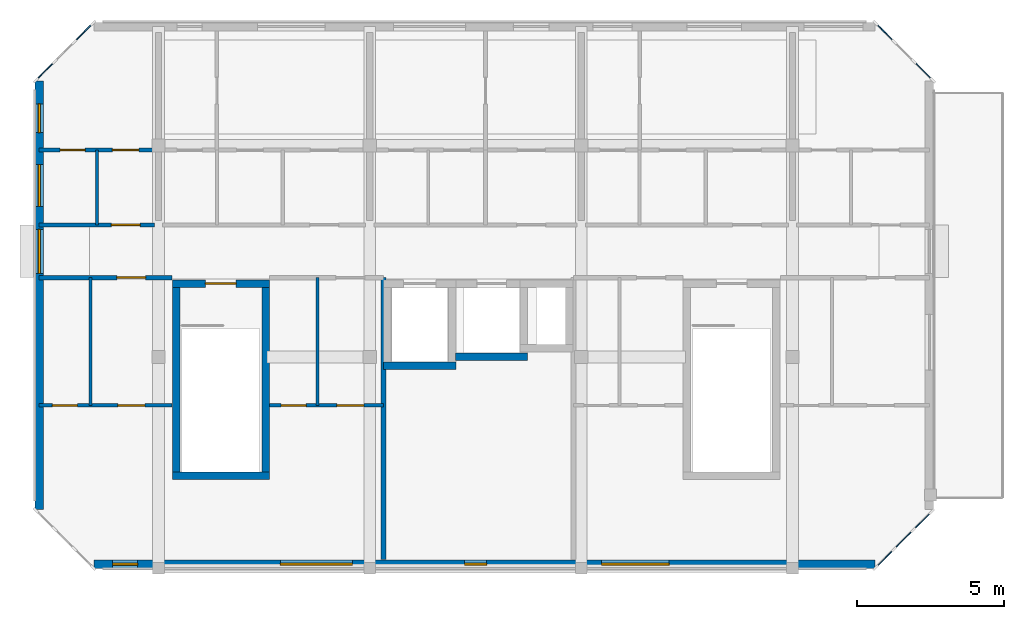
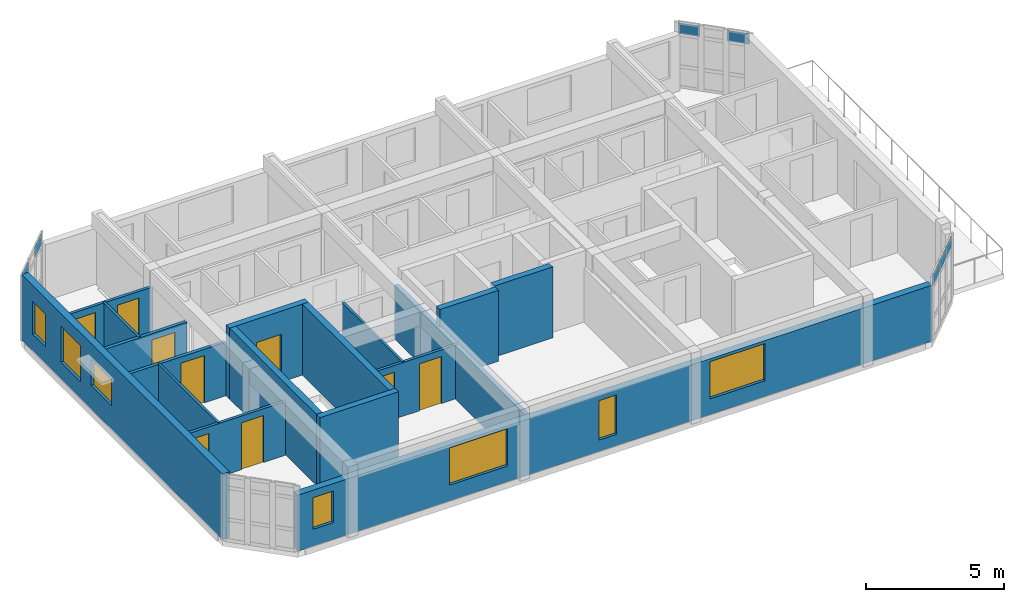
# One storey, part 3 of 6: 17 walls, 9 doors, 7 plates, 7 windows, 16 openings, 3 elements without a shape of their own.
"""IFC4 building model written with IfcOpenShell, lengths in metres."""

from ifc_helpers import new_model, si_unit, direction, frame, frame_2d, origin, origin_2d, place, context, subcontext, project, spatial, rectangle, extrude, material, layer, layer_set, type_object, element, fill, aggregate, save


model = new_model("IFC4")

# Units and contexts
model_context = context("Model", 3, precision=1e-05, world=origin(), true_north=direction((0.0, 1.0)))
body_context = subcontext(model_context, "Body", "Model", "MODEL_VIEW")
ifc_project = project(units=[si_unit("LENGTHUNIT", "METRE"), si_unit("AREAUNIT", "SQUARE_METRE"), si_unit("VOLUMEUNIT", "CUBIC_METRE"), si_unit("PLANEANGLEUNIT", "RADIAN"), si_unit("MASSUNIT", "GRAM", prefix="KILO")], contexts=[model_context])

# Site, building, storey
site_placement = place(None, origin())
site = spatial("IfcSite", under=ifc_project, at=site_placement, CompositionType="ELEMENT")
building_placement = place(site_placement, origin())
building = spatial("IfcBuilding", under=site, at=building_placement, Name="Ochrevale Crest", CompositionType="ELEMENT")
storey_placement = place(building_placement, frame((0.0, 0.0, 49.64990234375)))
storey = spatial("IfcBuildingStorey", under=building, at=storey_placement, Name="L15", CompositionType="ELEMENT", Elevation=49.64990234375)

# Curtain wall, plates
ifc_material_1 = material(Name="Anodised aluminium 6063-T5", Category="aluminium")
ifc_layer_1 = layer(ifc_material_1, 0.14990234375)
ifc_layer_set_1 = layer_set([ifc_layer_1], Name="Anodised aluminium 6063-T5")
curtain_wall_type_1 = type_object("IfcCurtainWallType", Name="CW-WG-320x285", PredefinedType="NOTDEFINED", material=ifc_layer_set_1)
curtain_wall_1_placement = place(storey_placement, origin())
curtain_wall_1 = element("IfcCurtainWall", 1, at=curtain_wall_1_placement, inside=storey, type_object=curtain_wall_type_1, Name="Block D L15 chamfered corner wintergarden curtain wall 2", PredefinedType="NOTDEFINED")
ifc_material_2 = material(Name="Double-glazed low-E insulated glass unit", Category="glass")
ifc_layer_2 = layer(ifc_material_2, 0.028076171875)
ifc_layer_set_2 = layer_set([ifc_layer_2], Name="Double-glazed low-E insulated glass unit")
plate_type_1 = type_object("IfcPlateType", Name="CW-PNL-IGU28", PredefinedType="CURTAIN_PANEL", material=ifc_layer_set_2)
plate_1_placement = place(storey_placement, frame((161.5400390625, 72.33984375, 2.39013671875), z_axis=(0.0, 0.0, 1.0), x_axis=(0.707106781187, 0.707106781187, 0.0)))
plate_1 = element("IfcPlate", 2, at=plate_1_placement, type_object=plate_type_1, Name="CW17 panel 1.3", PredefinedType="CURTAIN_PANEL", context=body_context, shape_type="SweptSolid", body=[
    extrude(rectangle(XDim=0.8115234375, YDim=0.028076171875, at=origin_2d()), origin(), (0.0, 0.0, 1.0), 0.4599609375),
])
plate_2_placement = place(storey_placement, frame((162.179931640625, 72.97998046875, 2.39013671875), z_axis=(0.0, 0.0, 1.0), x_axis=(0.707106781187, 0.707106781187, 0.0)))
plate_2 = element("IfcPlate", 3, at=plate_2_placement, type_object=plate_type_1, Name="CW17 panel 2.3", PredefinedType="CURTAIN_PANEL", context=body_context, shape_type="SweptSolid", body=[
    extrude(rectangle(XDim=0.848876953125, YDim=0.028076171875, at=origin_2d()), origin(), (0.0, 0.0, 1.0), 0.4599609375),
])
plate_3_placement = place(storey_placement, frame((162.820068359375, 73.6201171875, 2.39013671875), z_axis=(0.0, 0.0, 1.0), x_axis=(0.707106781187, 0.707106781187, 0.0)))
plate_3 = element("IfcPlate", 4, at=plate_3_placement, type_object=plate_type_1, Name="CW17 panel 3.3", PredefinedType="CURTAIN_PANEL", context=body_context, shape_type="SweptSolid", body=[
    extrude(rectangle(XDim=0.8115234375, YDim=0.028076171875, at=origin_2d()), origin(), (0.0, 0.0, 1.0), 0.4599609375),
])
aggregate(curtain_wall_1, [plate_1, plate_2, plate_3])

ifc_layer_3 = layer(ifc_material_1, 0.14990234375)
ifc_layer_set_3 = layer_set([ifc_layer_3], Name="Anodised aluminium 6063-T5")
curtain_wall_type_2 = type_object("IfcCurtainWallType", Name="CW-WG-420x285", PredefinedType="NOTDEFINED", material=ifc_layer_set_3)
curtain_wall_2_placement = place(storey_placement, origin())
curtain_wall_2 = element("IfcCurtainWall", 5, at=curtain_wall_2_placement, inside=storey, type_object=curtain_wall_type_2, Name="Block D L15 chamfered corner wintergarden curtain wall 4", PredefinedType="NOTDEFINED")
plate_4_placement = place(storey_placement, frame((162.853515625, 88.946533203125, 2.39013671875), z_axis=(0.0, 0.0, 1.0), x_axis=(-0.707106781187, 0.707106781187, 0.0)))
plate_4 = element("IfcPlate", 6, at=plate_4_placement, type_object=plate_type_1, Name="CW22 panel 1.3", PredefinedType="CURTAIN_PANEL", context=body_context, shape_type="SweptSolid", body=[
    extrude(rectangle(XDim=0.830322265625, YDim=0.028076171875, at=origin_2d()), origin(), (0.0, 0.0, 1.0), 0.4599609375),
])
plate_5_placement = place(storey_placement, frame((161.546630859375, 90.25341796875, 2.39013671875), z_axis=(0.0, 0.0, 1.0), x_axis=(-0.707106781187, 0.707106781187, 0.0)))
plate_5 = element("IfcPlate", 7, at=plate_5_placement, type_object=plate_type_1, Name="CW22 panel 3.3", PredefinedType="CURTAIN_PANEL", context=body_context, shape_type="SweptSolid", body=[
    extrude(rectangle(XDim=0.830322265625, YDim=0.028076171875, at=origin_2d()), origin(), (0.0, 0.0, 1.0), 0.4599609375),
])
aggregate(curtain_wall_2, [plate_4, plate_5])

ifc_layer_4 = layer(ifc_material_1, 0.14990234375)
ifc_layer_set_4 = layer_set([ifc_layer_4], Name="Anodised aluminium 6063-T5")
curtain_wall_type_3 = type_object("IfcCurtainWallType", Name="CW-WG-280x285", PredefinedType="NOTDEFINED", material=ifc_layer_set_4)
curtain_wall_3_placement = place(storey_placement, origin())
curtain_wall_3 = element("IfcCurtainWall", 8, at=curtain_wall_3_placement, inside=storey, type_object=curtain_wall_type_3, Name="Block D L15 chamfered corner wintergarden curtain wall 6", PredefinedType="NOTDEFINED")
ifc_material_3 = material(Name="Acoustic laminated low-E insulated glass unit", Category="glass")
ifc_layer_5 = layer(ifc_material_3, 0.0380859375)
ifc_layer_set_5 = layer_set([ifc_layer_5], Name="Acoustic laminated low-E insulated glass unit")
plate_type_2 = type_object("IfcPlateType", Name="CW-PNL-IGU38", PredefinedType="CURTAIN_PANEL", material=ifc_layer_set_5)
plate_6_placement = place(storey_placement, frame((134.25341796875, 90.25341796875, 2.39013671875), z_axis=(0.0, 0.0, 1.0), x_axis=(-0.707106781187, -0.707106781187, 0.0)))
plate_6 = element("IfcPlate", 9, at=plate_6_placement, type_object=plate_type_2, Name="CW16 panel 1.3", PredefinedType="CURTAIN_PANEL", context=body_context, shape_type="SweptSolid", body=[
    extrude(rectangle(XDim=0.830322265625, YDim=0.0380859375, at=origin_2d()), origin(), (0.0, 0.0, 1.0), 0.4599609375),
])
plate_7_placement = place(storey_placement, frame((132.946533203125, 88.946533203125, 2.39013671875), z_axis=(0.0, 0.0, 1.0), x_axis=(-0.707106781187, -0.707106781187, 0.0)))
plate_7 = element("IfcPlate", 10, at=plate_7_placement, type_object=plate_type_2, Name="CW16 panel 3.3", PredefinedType="CURTAIN_PANEL", context=body_context, shape_type="SweptSolid", body=[
    extrude(rectangle(XDim=0.830322265625, YDim=0.0380859375, at=origin_2d()), origin(), (0.0, 0.0, 1.0), 0.4599609375),
])
aggregate(curtain_wall_3, [plate_6, plate_7])

# Wall, opening, door
ifc_material_4 = material(Name="Gypsum plasterboard", Category="gypsum")
ifc_layer_6 = layer(ifc_material_4, 0.139892578125)
ifc_layer_set_6 = layer_set([ifc_layer_6], Name="Gypsum plasterboard")
wall_type_1 = type_object("IfcWallType", Name="WL-COR-140", PredefinedType="PARTITIONING", material=ifc_layer_set_6)
wall_1_placement = place(storey_placement, frame((132.739990234375, 83.699951171875, 0.0), z_axis=(0.0, 0.0, 1.0), x_axis=(1.0, 0.0, 0.0)))
wall_1 = element("IfcWall", 11, at=wall_1_placement, inside=storey, type_object=wall_type_1, Name="Apartment D-L15-U1 corridor wall", PredefinedType="PARTITIONING", context=body_context, shape_type="SweptSolid", body=[
    extrude(rectangle(XDim=3.919921875, YDim=0.139892578125, at=frame_2d((1.9599609375, 0.0))), origin(), (0.0, 0.0, 1.0), 2.380126953125),
])
opening_1_placement = place(wall_1_placement, frame((2.455322265625, 0.0, 0.0)))
opening_1 = element("IfcOpeningElement", 12, at=opening_1_placement, cuts=wall_1, Name="Opening FD01", PredefinedType="OPENING", context=body_context, shape_type="SweptSolid", body=[
    extrude(rectangle(XDim=0.97998046875, YDim=2.10009765625, at=frame_2d((0.489990234375, 1.050048828125))), frame((0.0, 0.080078125, 0.0), z_axis=(0.0, -1.0, 0.0), x_axis=(1.0, 0.0, 0.0)), (0.0, 0.0, 1.0), 0.159912109375),
])
ifc_material_5 = material(Name="Solid-core FSC hardwood", Category="wood")
door_type_1 = type_object("IfcDoorType", Name="DR-APT-950", OperationType="NOTDEFINED", PredefinedType="DOOR", material=ifc_material_5)
door_1_placement = place(opening_1_placement, origin())
door_1 = element("IfcDoor", 13, at=door_1_placement, inside=storey, type_object=door_type_1, Name="Apartment D-L15-U1 entrance door", OperationType="SINGLE_SWING_LEFT", OverallHeight=2.10009765625, OverallWidth=0.97998046875, PredefinedType="DOOR", context=body_context, shape_type="SweptSolid", body=[
    extrude(rectangle(XDim=0.97998046875, YDim=2.10009765625, at=frame_2d((0.489990234375, 1.050048828125))), frame((0.0, 0.02490234375, 0.0), z_axis=(0.0, -1.0, 0.0), x_axis=(1.0, 0.0, 0.0)), (0.0, 0.0, 1.0), 0.050048828125),
])
fill(opening_1, door_1)

wall_2_placement = place(storey_placement, frame((132.739990234375, 81.89990234375, 0.0), z_axis=(0.0, 0.0, 1.0), x_axis=(1.0, 0.0, 0.0)))
wall_2 = element("IfcWall", 14, at=wall_2_placement, inside=storey, type_object=wall_type_1, Name="Suite D-L15-CW corridor wall", PredefinedType="PARTITIONING", context=body_context, shape_type="SweptSolid", body=[
    extrude(rectangle(XDim=4.52001953125, YDim=0.139892578125, at=frame_2d((2.260009765625, 0.0))), origin(), (0.0, 0.0, 1.0), 2.380126953125),
])
opening_2_placement = place(wall_2_placement, frame((3.625, 0.0, 0.0), z_axis=(0.0, 0.0, 1.0), x_axis=(-1.0, 0.0, 0.0)))
opening_2 = element("IfcOpeningElement", 15, at=opening_2_placement, cuts=wall_2, Name="Opening FD01", PredefinedType="OPENING", context=body_context, shape_type="SweptSolid", body=[
    extrude(rectangle(XDim=0.97998046875, YDim=2.10009765625, at=frame_2d((0.489990234375, 1.050048828125))), frame((0.0, 0.080078125, 0.0), z_axis=(0.0, -1.0, 0.0), x_axis=(1.0, 0.0, 0.0)), (0.0, 0.0, 1.0), 0.159912109375),
])
door_2_placement = place(opening_2_placement, origin())
door_2 = element("IfcDoor", 16, at=door_2_placement, inside=storey, type_object=door_type_1, Name="Suite D-L15-CW entrance door", OperationType="SINGLE_SWING_RIGHT", OverallHeight=2.10009765625, OverallWidth=0.97998046875, PredefinedType="DOOR", context=body_context, shape_type="SweptSolid", body=[
    extrude(rectangle(XDim=0.97998046875, YDim=2.10009765625, at=frame_2d((0.489990234375, 1.050048828125))), frame((0.0, 0.02490234375, 0.0), z_axis=(0.0, -1.0, 0.0), x_axis=(1.0, 0.0, 0.0)), (0.0, 0.0, 1.0), 0.050048828125),
])
fill(opening_2, door_2)

# Wall
ifc_material_6 = material(Name="Precast concrete C50/60", Category="concrete")
ifc_layer_7 = layer(ifc_material_6, 0.2548828125)
ifc_layer_set_7 = layer_set([ifc_layer_7], Name="Precast concrete C50/60")
wall_type_2 = type_object("IfcWallType", Name="WL-CORE-255", PredefinedType="SHEAR", material=ifc_layer_set_7)
wall_3_placement = place(storey_placement, frame((137.2724609375, 75.14990234375, 0.0), z_axis=(0.0, 0.0, 1.0), x_axis=(1.0, 0.0, 0.0)))
element("IfcWall", 17, at=wall_3_placement, inside=storey, type_object=wall_type_2, Name="Block D L15 Stair 1 precast core shear wall S", PredefinedType="SHEAR", context=body_context, shape_type="SweptSolid", body=[
    extrude(rectangle(XDim=3.304931640625, YDim=0.2548828125, at=frame_2d((1.65234375, 0.0))), origin(), (0.0, 0.0, 1.0), 3.150146484375),
])

# Wall, opening, door
wall_4_placement = place(storey_placement, frame((137.2724609375, 81.699951171875, 0.0), z_axis=(0.0, 0.0, 1.0), x_axis=(1.0, 0.0, 0.0)))
wall_4 = element("IfcWall", 18, at=wall_4_placement, inside=storey, type_object=wall_type_2, Name="Block D L15 Stair 1 precast core shear wall N", PredefinedType="SHEAR", context=body_context, shape_type="SweptSolid", body=[
    extrude(rectangle(XDim=3.304931640625, YDim=0.2548828125, at=frame_2d((1.65234375, 0.0))), origin(), (0.0, 0.0, 1.0), 3.150146484375),
])
opening_3_placement = place(wall_4_placement, frame((2.177490234375, 0.0, 0.0), z_axis=(0.0, 0.0, 1.0), x_axis=(-1.0, 0.0, 0.0)))
opening_3 = element("IfcOpeningElement", 19, at=opening_3_placement, cuts=wall_4, Name="Opening FD03", PredefinedType="OPENING", context=body_context, shape_type="SweptSolid", body=[
    extrude(rectangle(XDim=1.050048828125, YDim=2.1201171875, at=frame_2d((0.52490234375, 1.06005859375))), frame((0.0, 0.137451171875, 0.0), z_axis=(0.0, -1.0, 0.0), x_axis=(1.0, 0.0, 0.0)), (0.0, 0.0, 1.0), 0.27490234375),
])
door_type_2 = type_object("IfcDoorType", Name="DR-ST-1050", OperationType="NOTDEFINED", PredefinedType="DOOR", material=ifc_material_5)
door_3_placement = place(opening_3_placement, origin())
door_3 = element("IfcDoor", 20, at=door_3_placement, inside=storey, type_object=door_type_2, Name="Block D L15 fire stair 1 door", OperationType="SINGLE_SWING_RIGHT", OverallHeight=2.1201171875, OverallWidth=1.050048828125, PredefinedType="DOOR", context=body_context, shape_type="SweptSolid", body=[
    extrude(rectangle(XDim=1.050048828125, YDim=2.1201171875, at=frame_2d((0.52490234375, 1.06005859375))), frame((0.0, 0.02490234375, 0.0), z_axis=(0.0, -1.0, 0.0), x_axis=(1.0, 0.0, 0.0)), (0.0, 0.0, 1.0), 0.050048828125),
])
fill(opening_3, door_3)

# Walls
for number, where, z_axis, x_axis, name in (
    (21, (137.39990234375, 75.277587890625, 0.0), (0.0, 0.0, 1.0), (0.0, 1.0, 0.0), "Block D L15 Stair 1 precast core shear wall W"),
    (22, (140.449951171875, 75.277587890625, 0.0), (0.0, 0.0, 1.0), (0.0, 1.0, 0.0), "Block D L15 Stair 1 precast core shear wall E"),
):
    element("IfcWall", number, at=place(storey_placement, frame(where, z_axis=z_axis, x_axis=x_axis)), inside=storey, type_object=wall_type_2, Name=name, PredefinedType="SHEAR", context=body_context, shape_type="SweptSolid", body=[
        extrude(rectangle(XDim=6.294921875, YDim=0.2548828125, at=frame_2d((3.1474609375, 0.0))), origin(), (0.0, 0.0, 1.0), 3.150146484375),
    ])
wall_5_placement = place(storey_placement, frame((144.472412109375, 78.89990234375, 0.0), z_axis=(0.0, 0.0, 1.0), x_axis=(1.0, 0.0, 0.0)))
element("IfcWall", 23, at=wall_5_placement, inside=storey, type_object=wall_type_2, Name="Block D L15 Lift 1 precast shaft shear wall S", PredefinedType="SHEAR", context=body_context, shape_type="SweptSolid", body=[
    extrude(rectangle(XDim=2.455078125, YDim=0.2548828125, at=frame_2d((1.2275390625, 0.0))), origin(), (0.0, 0.0, 1.0), 3.150146484375),
])
wall_6_placement = place(storey_placement, frame((146.922607421875, 79.199951171875, 0.0), z_axis=(0.0, 0.0, 1.0), x_axis=(1.0, 0.0, 0.0)))
element("IfcWall", 24, at=wall_6_placement, inside=storey, type_object=wall_type_2, Name="Block D L15 Lift 2 precast shaft shear wall S", PredefinedType="SHEAR", context=body_context, shape_type="SweptSolid", body=[
    extrude(rectangle(XDim=2.454833984375, YDim=0.2548828125, at=frame_2d((1.2275390625, 0.0))), origin(), (0.0, 0.0, 1.0), 3.150146484375),
])

# Wall, openings, windows
ifc_material_7 = material(Name="Clay face brickwork", Category="masonry")
ifc_layer_8 = layer(ifc_material_7, 0.2900390625)
ifc_layer_set_8 = layer_set([ifc_layer_8], Name="Clay face brickwork")
wall_type_3 = type_object("IfcWallType", Name="WL-EXT-BRICK-290", PredefinedType="SOLIDWALL", material=ifc_layer_set_8)
wall_7_placement = place(storey_placement, frame((134.60009765625, 72.14501953125, 0.0), z_axis=(0.0, 0.0, 1.0), x_axis=(1.0, 0.0, 0.0)))
wall_7 = element("IfcWall", 25, at=wall_7_placement, inside=storey, type_object=wall_type_3, Name="Block D L15 external facade wall E1", PredefinedType="SOLIDWALL", context=body_context, shape_type="SweptSolid", body=[
    extrude(rectangle(XDim=26.599853515625, YDim=0.2900390625, at=frame_2d((13.2998046875, 0.0))), origin(), (0.0, 0.0, 1.0), 2.47998046875),
])
opening_4_placement = place(wall_7_placement, frame((12.625, 0.0, 0.5)))
opening_4 = element("IfcOpeningElement", 26, at=opening_4_placement, cuts=wall_7, Name="Opening W16", PredefinedType="OPENING", context=body_context, shape_type="SweptSolid", body=[
    extrude(rectangle(XDim=0.75, YDim=1.75, at=frame_2d((0.375, 0.875))), frame((0.0, 0.155029296875, 0.0), z_axis=(0.0, -1.0, 0.0), x_axis=(1.0, 0.0, 0.0)), (0.0, 0.0, 1.0), 0.31005859375),
])
opening_5_placement = place(wall_7_placement, frame((0.639892578125, 0.0, 0.75)))
opening_5 = element("IfcOpeningElement", 27, at=opening_5_placement, cuts=wall_7, Name="Opening W03", PredefinedType="OPENING", context=body_context, shape_type="SweptSolid", body=[
    extrude(rectangle(XDim=0.85009765625, YDim=1.39990234375, at=frame_2d((0.425048828125, 0.699951171875))), frame((0.0, 0.155029296875, 0.0), z_axis=(0.0, -1.0, 0.0), x_axis=(1.0, 0.0, 0.0)), (0.0, 0.0, 1.0), 0.31005859375),
])
opening_6_placement = place(wall_7_placement, frame((17.294921875, 0.0, 0.699951171875)))
opening_6 = element("IfcOpeningElement", 28, at=opening_6_placement, cuts=wall_7, Name="Opening W14", PredefinedType="OPENING", context=body_context, shape_type="SweptSolid", body=[
    extrude(rectangle(XDim=2.300048828125, YDim=1.64990234375, at=frame_2d((1.14990234375, 0.824951171875))), frame((0.0, 0.155029296875, 0.0), z_axis=(0.0, -1.0, 0.0), x_axis=(1.0, 0.0, 0.0)), (0.0, 0.0, 1.0), 0.31005859375),
])
opening_7_placement = place(wall_7_placement, frame((6.35498046875, 0.0, 0.699951171875)))
opening_7 = element("IfcOpeningElement", 29, at=opening_7_placement, cuts=wall_7, Name="Opening W15", PredefinedType="OPENING", context=body_context, shape_type="SweptSolid", body=[
    extrude(rectangle(XDim=2.449951171875, YDim=1.64990234375, at=frame_2d((1.22509765625, 0.824951171875))), frame((0.0, 0.155029296875, 0.0), z_axis=(0.0, -1.0, 0.0), x_axis=(1.0, 0.0, 0.0)), (0.0, 0.0, 1.0), 0.31005859375),
])
ifc_material_8 = material(Name="Anodised aluminium 6063-T5 and low-E double glazing", Category="aluminium")
window_type_1 = type_object("IfcWindowType", Name="WIN-W03", PartitioningType="SINGLE_PANEL", PredefinedType="WINDOW", material=ifc_material_8)
window_1_placement = place(opening_5_placement, origin())
window_1 = element("IfcWindow", 30, at=window_1_placement, inside=storey, type_object=window_type_1, Name="Block D L15 Suite D-L15-CW Garden Alcove Studio window", OverallHeight=1.39990234375, OverallWidth=0.85009765625, PartitioningType="SINGLE_PANEL", PredefinedType="WINDOW", context=body_context, shape_type="SweptSolid", body=[
    extrude(rectangle(XDim=0.85009765625, YDim=1.39990234375, at=frame_2d((0.425048828125, 0.699951171875))), frame((0.0, 0.030029296875, 0.0), z_axis=(0.0, -1.0, 0.0), x_axis=(1.0, 0.0, 0.0)), (0.0, 0.0, 1.0), 0.06005859375),
])
fill(opening_5, window_1)
window_type_2 = type_object("IfcWindowType", Name="WIN-W14", PartitioningType="SINGLE_PANEL", PredefinedType="WINDOW", material=ifc_material_8)
window_2_placement = place(opening_6_placement, origin())
window_2 = element("IfcWindow", 31, at=window_2_placement, inside=storey, type_object=window_type_2, Name="Block D L15 Suite D-L15-ME Garden Alcove Studio window", OverallHeight=1.64990234375, OverallWidth=2.300048828125, PartitioningType="SINGLE_PANEL", PredefinedType="WINDOW", context=body_context, shape_type="SweptSolid", body=[
    extrude(rectangle(XDim=2.300048828125, YDim=1.64990234375, at=frame_2d((1.14990234375, 0.824951171875))), frame((0.0, 0.030029296875, 0.0), z_axis=(0.0, -1.0, 0.0), x_axis=(1.0, 0.0, 0.0)), (0.0, 0.0, 1.0), 0.06005859375),
])
fill(opening_6, window_2)
window_type_3 = type_object("IfcWindowType", Name="WIN-W15", PartitioningType="SINGLE_PANEL", PredefinedType="WINDOW", material=ifc_material_8)
window_3_placement = place(opening_7_placement, origin())
window_3 = element("IfcWindow", 32, at=window_3_placement, inside=storey, type_object=window_type_3, Name="Block D L15 Suite D-L15-MW Courtyard Studio Living window", OverallHeight=1.64990234375, OverallWidth=2.449951171875, PartitioningType="SINGLE_PANEL", PredefinedType="WINDOW", context=body_context, shape_type="SweptSolid", body=[
    extrude(rectangle(XDim=2.449951171875, YDim=1.64990234375, at=frame_2d((1.22509765625, 0.824951171875))), frame((0.0, 0.030029296875, 0.0), z_axis=(0.0, -1.0, 0.0), x_axis=(1.0, 0.0, 0.0)), (0.0, 0.0, 1.0), 0.06005859375),
])
fill(opening_7, window_3)
window_type_4 = type_object("IfcWindowType", Name="WIN-W16", PartitioningType="SINGLE_PANEL", PredefinedType="WINDOW", material=ifc_material_8)
window_4_placement = place(opening_4_placement, origin())
window_4 = element("IfcWindow", 33, at=window_4_placement, inside=storey, type_object=window_type_4, Name="Block D L15 core lancet window", OverallHeight=1.75, OverallWidth=0.75, PartitioningType="SINGLE_PANEL", PredefinedType="WINDOW", context=body_context, shape_type="SweptSolid", body=[
    extrude(rectangle(XDim=0.75, YDim=1.75, at=frame_2d((0.375, 0.875))), frame((0.0, 0.030029296875, 0.0), z_axis=(0.0, -1.0, 0.0), x_axis=(1.0, 0.0, 0.0)), (0.0, 0.0, 1.0), 0.06005859375),
])
fill(opening_4, window_4)

wall_8_placement = place(storey_placement, frame((132.7451171875, 88.60009765625, 0.0), z_axis=(0.0, 0.0, 1.0), x_axis=(0.0, -1.0, 0.0)))
wall_8 = element("IfcWall", 34, at=wall_8_placement, inside=storey, type_object=wall_type_3, Name="Block D L15 external facade wall E7", PredefinedType="SOLIDWALL", context=body_context, shape_type="SweptSolid", body=[
    extrude(rectangle(XDim=14.60009765625, YDim=0.2900390625, at=frame_2d((7.300048828125, 0.0))), origin(), (0.0, 0.0, 1.0), 2.91015625),
])
opening_8_placement = place(wall_8_placement, frame((5.050048828125, 0.0, 1.050048828125)))
opening_8 = element("IfcOpeningElement", 35, at=opening_8_placement, cuts=wall_8, Name="Opening W18", PredefinedType="OPENING", context=body_context, shape_type="SweptSolid", body=[
    extrude(rectangle(XDim=1.5, YDim=1.14990234375, at=frame_2d((0.75, 0.574951171875))), frame((0.0, 0.155029296875, 0.0), z_axis=(0.0, -1.0, 0.0), x_axis=(1.0, 0.0, 0.0)), (0.0, 0.0, 1.0), 0.31005859375),
])
opening_9_placement = place(wall_8_placement, frame((2.85009765625, 0.0, 0.75)))
opening_9 = element("IfcOpeningElement", 36, at=opening_9_placement, cuts=wall_8, Name="Opening W31", PredefinedType="OPENING", context=body_context, shape_type="SweptSolid", body=[
    extrude(rectangle(XDim=1.419921875, YDim=1.60009765625, at=frame_2d((0.7099609375, 0.800048828125))), frame((0.0, 0.155029296875, 0.0), z_axis=(0.0, -1.0, 0.0), x_axis=(1.0, 0.0, 0.0)), (0.0, 0.0, 1.0), 0.31005859375),
])
opening_10_placement = place(wall_8_placement, frame((0.780029296875, 0.0, 0.75)))
opening_10 = element("IfcOpeningElement", 37, at=opening_10_placement, cuts=wall_8, Name="Opening W04", PredefinedType="OPENING", context=body_context, shape_type="SweptSolid", body=[
    extrude(rectangle(XDim=0.97998046875, YDim=1.449951171875, at=frame_2d((0.489990234375, 0.72509765625))), frame((0.0, 0.155029296875, 0.0), z_axis=(0.0, -1.0, 0.0), x_axis=(1.0, 0.0, 0.0)), (0.0, 0.0, 1.0), 0.31005859375),
])
window_type_5 = type_object("IfcWindowType", Name="WIN-W04", PartitioningType="SINGLE_PANEL", PredefinedType="WINDOW", material=ifc_material_8)
window_5_placement = place(opening_10_placement, origin())
window_5 = element("IfcWindow", 38, at=window_5_placement, inside=storey, type_object=window_type_5, Name="Block D L15 Studio D-L15-U1 Living Room side window", OverallHeight=1.449951171875, OverallWidth=0.97998046875, PartitioningType="SINGLE_PANEL", PredefinedType="WINDOW", context=body_context, shape_type="SweptSolid", body=[
    extrude(rectangle(XDim=0.97998046875, YDim=1.449951171875, at=frame_2d((0.489990234375, 0.72509765625))), frame((0.0, 0.030029296875, 0.0), z_axis=(0.0, -1.0, 0.0), x_axis=(1.0, 0.0, 0.0)), (0.0, 0.0, 1.0), 0.06005859375),
])
fill(opening_10, window_5)
window_type_6 = type_object("IfcWindowType", Name="WIN-W18", PartitioningType="SINGLE_PANEL", PredefinedType="WINDOW", material=ifc_material_8)
window_6_placement = place(opening_8_placement, origin())
window_6 = element("IfcWindow", 39, at=window_6_placement, inside=storey, type_object=window_type_6, Name="Block D L15 corridor end daylight window W", OverallHeight=1.14990234375, OverallWidth=1.5, PartitioningType="SINGLE_PANEL", PredefinedType="WINDOW", context=body_context, shape_type="SweptSolid", body=[
    extrude(rectangle(XDim=1.5, YDim=1.14990234375, at=frame_2d((0.75, 0.574951171875))), frame((0.0, 0.030029296875, 0.0), z_axis=(0.0, -1.0, 0.0), x_axis=(1.0, 0.0, 0.0)), (0.0, 0.0, 1.0), 0.06005859375),
])
fill(opening_8, window_6)
window_type_7 = type_object("IfcWindowType", Name="WIN-W31", PartitioningType="SINGLE_PANEL", PredefinedType="WINDOW", material=ifc_material_8)
window_7_placement = place(opening_9_placement, origin())
window_7 = element("IfcWindow", 40, at=window_7_placement, inside=storey, type_object=window_type_7, Name="Block D L15 side suite window W", OverallHeight=1.60009765625, OverallWidth=1.419921875, PartitioningType="SINGLE_PANEL", PredefinedType="WINDOW", context=body_context, shape_type="SweptSolid", body=[
    extrude(rectangle(XDim=1.419921875, YDim=1.60009765625, at=frame_2d((0.7099609375, 0.800048828125))), frame((0.0, 0.030029296875, 0.0), z_axis=(0.0, -1.0, 0.0), x_axis=(1.0, 0.0, 0.0)), (0.0, 0.0, 1.0), 0.06005859375),
])
fill(opening_9, window_7)

# Wall, openings, doors
ifc_layer_9 = layer(ifc_material_4, 0.1201171875)
ifc_layer_set_9 = layer_set([ifc_layer_9], Name="Gypsum plasterboard")
wall_type_4 = type_object("IfcWallType", Name="WL-PART-120", PredefinedType="PARTITIONING", material=ifc_layer_set_9)
wall_9_placement = place(storey_placement, frame((132.739990234375, 86.25, 0.0), z_axis=(0.0, 0.0, 1.0), x_axis=(1.0, 0.0, 0.0)))
wall_9 = element("IfcWall", 41, at=wall_9_placement, inside=storey, type_object=wall_type_4, Name="Apartment D-L15-U1 central partition", PredefinedType="PARTITIONING", context=body_context, shape_type="SweptSolid", body=[
    extrude(rectangle(XDim=3.919921875, YDim=0.1201171875, at=frame_2d((1.9599609375, 0.0))), origin(), (0.0, 0.0, 1.0), 2.380126953125),
])
opening_11_placement = place(wall_9_placement, frame((1.5654296875, 0.0, 0.0), z_axis=(0.0, 0.0, 1.0), x_axis=(-1.0, 0.0, 0.0)))
opening_11 = element("IfcOpeningElement", 42, at=opening_11_placement, cuts=wall_9, Name="Opening ID01", PredefinedType="OPENING", context=body_context, shape_type="SweptSolid", body=[
    extrude(rectangle(XDim=0.85009765625, YDim=2.080078125, at=frame_2d((0.425048828125, 1.0400390625))), frame((0.0, 0.070068359375, 0.0), z_axis=(0.0, -1.0, 0.0), x_axis=(1.0, 0.0, 0.0)), (0.0, 0.0, 1.0), 0.14013671875),
])
opening_12_placement = place(wall_9_placement, frame((2.495361328125, 0.0, 0.0)))
opening_12 = element("IfcOpeningElement", 43, at=opening_12_placement, cuts=wall_9, Name="Opening ID02", PredefinedType="OPENING", context=body_context, shape_type="SweptSolid", body=[
    extrude(rectangle(XDim=0.89990234375, YDim=2.080078125, at=frame_2d((0.449951171875, 1.0400390625))), frame((0.0, 0.070068359375, 0.0), z_axis=(0.0, -1.0, 0.0), x_axis=(1.0, 0.0, 0.0)), (0.0, 0.0, 1.0), 0.14013671875),
])
door_type_3 = type_object("IfcDoorType", Name="DR-INT-900", OperationType="NOTDEFINED", PredefinedType="DOOR", material=ifc_material_5)
door_4_placement = place(opening_12_placement, origin())
door_4 = element("IfcDoor", 44, at=door_4_placement, inside=storey, type_object=door_type_3, Name="Apartment D-L15-U1 Kitchen door", OperationType="SINGLE_SWING_LEFT", OverallHeight=2.080078125, OverallWidth=0.89990234375, PredefinedType="DOOR", context=body_context, shape_type="SweptSolid", body=[
    extrude(rectangle(XDim=0.89990234375, YDim=2.080078125, at=frame_2d((0.449951171875, 1.0400390625))), frame((0.0, 0.02490234375, 0.0), z_axis=(0.0, -1.0, 0.0), x_axis=(1.0, 0.0, 0.0)), (0.0, 0.0, 1.0), 0.050048828125),
])
fill(opening_12, door_4)
door_type_4 = type_object("IfcDoorType", Name="DR-WC-850", OperationType="NOTDEFINED", PredefinedType="DOOR", material=ifc_material_5)
door_5_placement = place(opening_11_placement, origin())
door_5 = element("IfcDoor", 45, at=door_5_placement, inside=storey, type_object=door_type_4, Name="Apartment D-L15-U1 Bathroom door", OperationType="SINGLE_SWING_RIGHT", OverallHeight=2.080078125, OverallWidth=0.85009765625, PredefinedType="DOOR", context=body_context, shape_type="SweptSolid", body=[
    extrude(rectangle(XDim=0.85009765625, YDim=2.080078125, at=frame_2d((0.425048828125, 1.0400390625))), frame((0.0, 0.02490234375, 0.0), z_axis=(0.0, -1.0, 0.0), x_axis=(1.0, 0.0, 0.0)), (0.0, 0.0, 1.0), 0.050048828125),
])
fill(opening_11, door_5)

wall_10_placement = place(storey_placement, frame((132.739990234375, 77.550048828125, 0.0), z_axis=(0.0, 0.0, 1.0), x_axis=(1.0, 0.0, 0.0)))
wall_10 = element("IfcWall", 46, at=wall_10_placement, inside=storey, type_object=wall_type_4, Name="Suite D-L15-CW internal wall", PredefinedType="PARTITIONING", context=body_context, shape_type="SweptSolid", body=[
    extrude(rectangle(XDim=4.52001953125, YDim=0.1201171875, at=frame_2d((2.260009765625, 0.0))), origin(), (0.0, 0.0, 1.0), 2.380126953125),
])
opening_13_placement = place(wall_10_placement, frame((0.449951171875, 0.0, 0.0)))
opening_13 = element("IfcOpeningElement", 47, at=opening_13_placement, cuts=wall_10, Name="Opening ID01", PredefinedType="OPENING", context=body_context, shape_type="SweptSolid", body=[
    extrude(rectangle(XDim=0.85009765625, YDim=2.080078125, at=frame_2d((0.425048828125, 1.0400390625))), frame((0.0, 0.070068359375, 0.0), z_axis=(0.0, -1.0, 0.0), x_axis=(1.0, 0.0, 0.0)), (0.0, 0.0, 1.0), 0.14013671875),
])
opening_14_placement = place(wall_10_placement, frame((3.594970703125, 0.0, 0.0), z_axis=(0.0, 0.0, 1.0), x_axis=(-1.0, 0.0, 0.0)))
opening_14 = element("IfcOpeningElement", 48, at=opening_14_placement, cuts=wall_10, Name="Opening ID04", PredefinedType="OPENING", context=body_context, shape_type="SweptSolid", body=[
    extrude(rectangle(XDim=0.919921875, YDim=2.080078125, at=frame_2d((0.4599609375, 1.0400390625))), frame((0.0, 0.070068359375, 0.0), z_axis=(0.0, -1.0, 0.0), x_axis=(1.0, 0.0, 0.0)), (0.0, 0.0, 1.0), 0.14013671875),
])
door_type_5 = type_object("IfcDoorType", Name="DR-INT-920", OperationType="NOTDEFINED", PredefinedType="DOOR", material=ifc_material_5)
door_6_placement = place(opening_14_placement, origin())
door_6 = element("IfcDoor", 49, at=door_6_placement, inside=storey, type_object=door_type_5, Name="Suite D-L15-CW Garden Alcove Studio door", OperationType="SINGLE_SWING_RIGHT", OverallHeight=2.080078125, OverallWidth=0.919921875, PredefinedType="DOOR", context=body_context, shape_type="SweptSolid", body=[
    extrude(rectangle(XDim=0.919921875, YDim=2.080078125, at=frame_2d((0.4599609375, 1.0400390625))), frame((0.0, 0.02490234375, 0.0), z_axis=(0.0, -1.0, 0.0), x_axis=(1.0, 0.0, 0.0)), (0.0, 0.0, 1.0), 0.050048828125),
])
fill(opening_14, door_6)
door_7_placement = place(opening_13_placement, origin())
door_7 = element("IfcDoor", 50, at=door_7_placement, inside=storey, type_object=door_type_4, Name="Suite D-L15-CW Bathroom door", OperationType="SINGLE_SWING_LEFT", OverallHeight=2.080078125, OverallWidth=0.85009765625, PredefinedType="DOOR", context=body_context, shape_type="SweptSolid", body=[
    extrude(rectangle(XDim=0.85009765625, YDim=2.080078125, at=frame_2d((0.425048828125, 1.0400390625))), frame((0.0, 0.02490234375, 0.0), z_axis=(0.0, -1.0, 0.0), x_axis=(1.0, 0.0, 0.0)), (0.0, 0.0, 1.0), 0.050048828125),
])
fill(opening_13, door_7)

wall_11_placement = place(storey_placement, frame((140.590087890625, 77.550048828125, 0.0), z_axis=(0.0, 0.0, 1.0), x_axis=(1.0, 0.0, 0.0)))
wall_11 = element("IfcWall", 51, at=wall_11_placement, inside=storey, type_object=wall_type_4, Name="Suite D-L15-MW internal wall", PredefinedType="PARTITIONING", context=body_context, shape_type="SweptSolid", body=[
    extrude(rectangle(XDim=3.869873046875, YDim=0.1201171875, at=frame_2d((1.93505859375, 0.0))), origin(), (0.0, 0.0, 1.0), 2.380126953125),
])
opening_15_placement = place(wall_11_placement, frame((1.23779296875, 0.0, 0.0), z_axis=(0.0, 0.0, 1.0), x_axis=(-1.0, 0.0, 0.0)))
opening_15 = element("IfcOpeningElement", 52, at=opening_15_placement, cuts=wall_11, Name="Opening ID01", PredefinedType="OPENING", context=body_context, shape_type="SweptSolid", body=[
    extrude(rectangle(XDim=0.85009765625, YDim=2.080078125, at=frame_2d((0.425048828125, 1.0400390625))), frame((0.0, 0.070068359375, 0.0), z_axis=(0.0, -1.0, 0.0), x_axis=(1.0, 0.0, 0.0)), (0.0, 0.0, 1.0), 0.14013671875),
])
opening_16_placement = place(wall_11_placement, frame((2.28759765625, 0.0, 0.0)))
opening_16 = element("IfcOpeningElement", 53, at=opening_16_placement, cuts=wall_11, Name="Opening ID04", PredefinedType="OPENING", context=body_context, shape_type="SweptSolid", body=[
    extrude(rectangle(XDim=0.919921875, YDim=2.080078125, at=frame_2d((0.4599609375, 1.0400390625))), frame((0.0, 0.070068359375, 0.0), z_axis=(0.0, -1.0, 0.0), x_axis=(1.0, 0.0, 0.0)), (0.0, 0.0, 1.0), 0.14013671875),
])
door_8_placement = place(opening_16_placement, origin())
door_8 = element("IfcDoor", 54, at=door_8_placement, inside=storey, type_object=door_type_5, Name="Suite D-L15-MW Courtyard Studio Living door", OperationType="SINGLE_SWING_LEFT", OverallHeight=2.080078125, OverallWidth=0.919921875, PredefinedType="DOOR", context=body_context, shape_type="SweptSolid", body=[
    extrude(rectangle(XDim=0.919921875, YDim=2.080078125, at=frame_2d((0.4599609375, 1.0400390625))), frame((0.0, 0.02490234375, 0.0), z_axis=(0.0, -1.0, 0.0), x_axis=(1.0, 0.0, 0.0)), (0.0, 0.0, 1.0), 0.050048828125),
])
fill(opening_16, door_8)
door_9_placement = place(opening_15_placement, origin())
door_9 = element("IfcDoor", 55, at=door_9_placement, inside=storey, type_object=door_type_4, Name="Suite D-L15-MW Bathroom door", OperationType="SINGLE_SWING_RIGHT", OverallHeight=2.080078125, OverallWidth=0.85009765625, PredefinedType="DOOR", context=body_context, shape_type="SweptSolid", body=[
    extrude(rectangle(XDim=0.85009765625, YDim=2.080078125, at=frame_2d((0.425048828125, 1.0400390625))), frame((0.0, 0.02490234375, 0.0), z_axis=(0.0, -1.0, 0.0), x_axis=(1.0, 0.0, 0.0)), (0.0, 0.0, 1.0), 0.050048828125),
])
fill(opening_15, door_9)

# Walls
ifc_layer_10 = layer(ifc_material_4, 0.169921875)
ifc_layer_set_10 = layer_set([ifc_layer_10], Name="Gypsum plasterboard")
wall_type_5 = type_object("IfcWallType", Name="WL-TEN-170", PredefinedType="PARTITIONING", material=ifc_layer_set_10)
wall_12_placement = place(storey_placement, frame((144.4599609375, 72.300048828125, 0.0), z_axis=(0.0, 0.0, 1.0), x_axis=(0.0, 1.0, 0.0)))
element("IfcWall", 56, at=wall_12_placement, inside=storey, type_object=wall_type_5, Name="Suite D-L15-MW east party wall", PredefinedType="PARTITIONING", context=body_context, shape_type="SweptSolid", body=[
    extrude(rectangle(XDim=9.599853515625, YDim=0.169921875, at=frame_2d((4.7998046875, 0.0))), origin(), (0.0, 0.0, 1.0), 2.380126953125),
])
ifc_layer_11 = layer(ifc_material_4, 0.10009765625)
ifc_layer_set_11 = layer_set([ifc_layer_11], Name="Gypsum plasterboard")
wall_type_6 = type_object("IfcWallType", Name="WL-WET-100", PredefinedType="PARTITIONING", material=ifc_layer_set_11)
wall_13_placement = place(storey_placement, frame((134.710693359375, 83.699951171875, 0.0), z_axis=(0.0, 0.0, 1.0), x_axis=(0.0, 1.0, 0.0)))
element("IfcWall", 57, at=wall_13_placement, inside=storey, type_object=wall_type_6, Name="Apartment D-L15-U1 bath-kitchen wall", PredefinedType="PARTITIONING", context=body_context, shape_type="SweptSolid", body=[
    extrude(rectangle(XDim=2.550048828125, YDim=0.10009765625, at=frame_2d((1.27490234375, 0.0))), origin(), (0.0, 0.0, 1.0), 2.380126953125),
])
for number, where, z_axis, x_axis, name in (
    (58, (134.489990234375, 77.550048828125, 0.0), (0.0, 0.0, 1.0), (0.0, 1.0, 0.0), "Suite D-L15-CW bathroom divider"),
    (59, (142.21533203125, 77.550048828125, 0.0), (0.0, 0.0, 1.0), (0.0, 1.0, 0.0), "Suite D-L15-MW bathroom divider"),
):
    element("IfcWall", number, at=place(storey_placement, frame(where, z_axis=z_axis, x_axis=x_axis)), inside=storey, type_object=wall_type_6, Name=name, PredefinedType="PARTITIONING", context=body_context, shape_type="SweptSolid", body=[
        extrude(rectangle(XDim=4.349853515625, YDim=0.10009765625, at=frame_2d((2.1748046875, 0.0))), origin(), (0.0, 0.0, 1.0), 2.380126953125),
    ])

save(model, "model.ifc")
